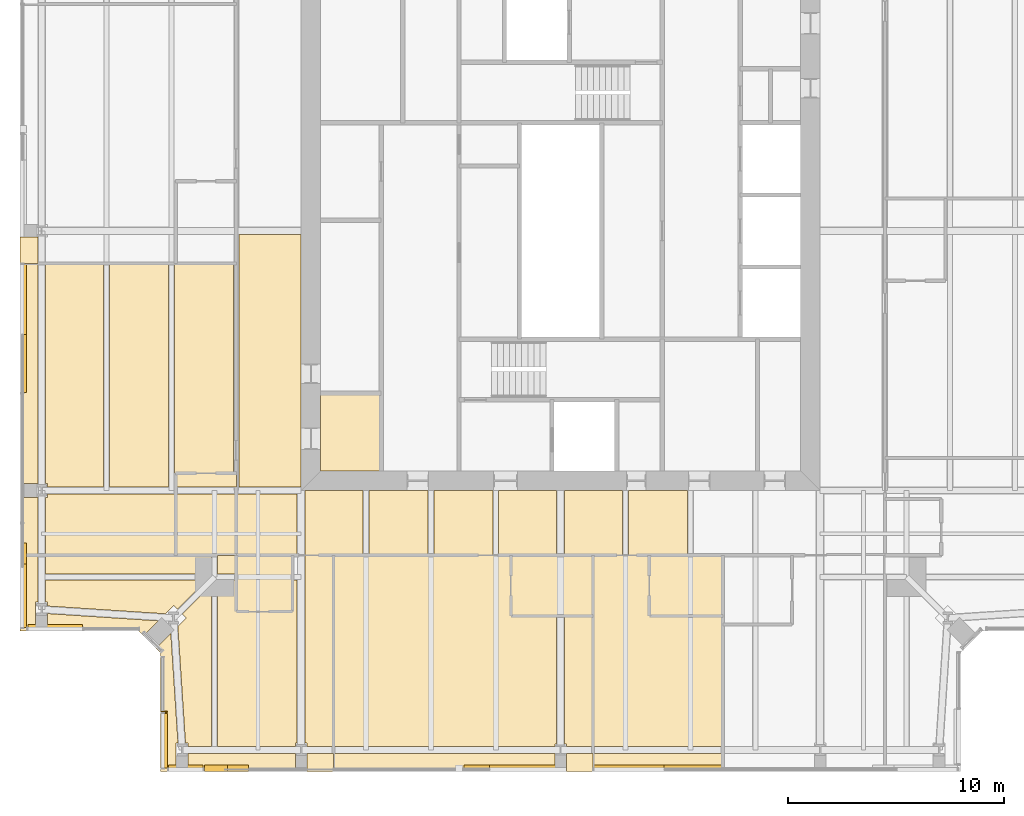
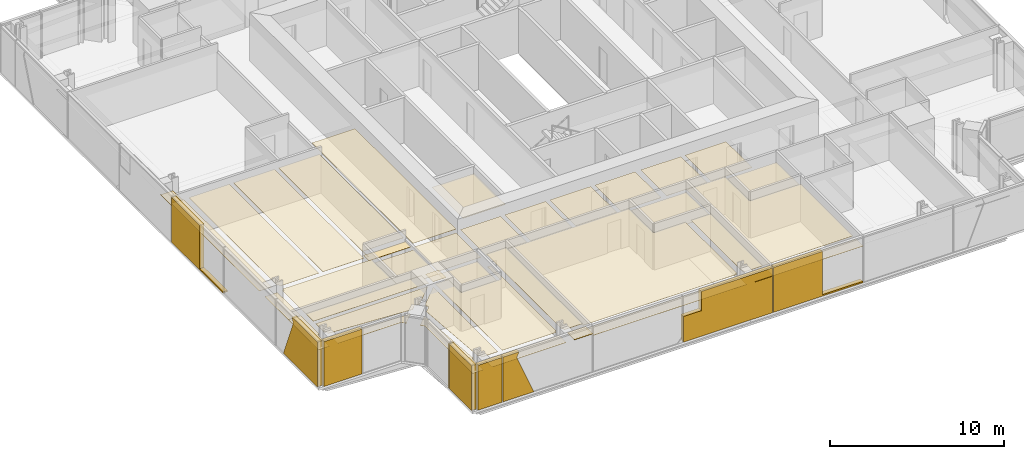
# One storey, part 15 of 20: 47 coverings.
"""IFC4 building model written with IfcOpenShell, lengths in metres."""

from ifc_helpers import new_model, si_unit, direction, frame, origin, place, context, subcontext, project, spatial, polyline, outline, extrude, material, layer, layer_set, type_object, element, save


model = new_model("IFC4")

# Units and contexts
model_context = context("Model", 3, precision=1e-05, world=origin(), true_north=direction((0.0, 1.0)))
body_context = subcontext(model_context, "Body", "Model", "MODEL_VIEW")
ifc_project = project(units=[si_unit("LENGTHUNIT", "METRE"), si_unit("AREAUNIT", "SQUARE_METRE"), si_unit("VOLUMEUNIT", "CUBIC_METRE"), si_unit("PLANEANGLEUNIT", "RADIAN"), si_unit("MASSUNIT", "GRAM", prefix="KILO")], contexts=[model_context])

# Site, building, storey
site_placement = place(None, origin())
site = spatial("IfcSite", under=ifc_project, at=site_placement, CompositionType="ELEMENT")
building_placement = place(site_placement, origin())
building = spatial("IfcBuilding", under=site, at=building_placement, Name="Fenwick Lantern Interchange", CompositionType="ELEMENT")
storey_placement = place(building_placement, frame((0.0, 0.0, 279.800048828125)))
storey = spatial("IfcBuildingStorey", under=building, at=storey_placement, Name="L67", CompositionType="ELEMENT", Elevation=279.800048828125)

# Coverings
ifc_material_1 = material(Name="Granite cladding, warm grey flamed finish, on aluminium carrier frame", Category="masonry")
ifc_layer_1 = layer(ifc_material_1, 0.300048828125)
ifc_layer_set_1 = layer_set([ifc_layer_1], Name="BRACE CASING PANEL 300")
covering_type_1 = type_object("IfcCoveringType", Name="BRACE CASING PANEL 300", PredefinedType="CLADDING", material=ifc_layer_set_1)
covering_1_placement = place(storey_placement, frame((6.60009765625, 0.10009765625, 0.0), z_axis=(0.0, 0.0, 1.0), x_axis=(1.0, 0.0, 0.0)))
element("IfcCovering", 1, at=covering_1_placement, inside=storey, type_object=covering_type_1, Name="Brace casing 01 bay 00a", PredefinedType="CLADDING", context=body_context, shape_type="SweptSolid", body=[
    extrude(outline(polyline([(0.260009765625, 0.0), (1.8701171875, 0.0), (1.8701171875, 3.14990234375), (0.260009765625, 3.14990234375), (0.260009765625, 0.0)])), frame((0.0, 0.2099609375, 0.0), z_axis=(0.0, -1.0, 0.0), x_axis=(1.0, 0.0, 0.0)), (0.0, 0.0, 1.0), 0.300048828125),
])
covering_2_placement = place(storey_placement, frame((6.60009765625, 0.10009765625, 0.0), z_axis=(0.0, 0.0, 1.0), x_axis=(1.0, 0.0, 0.0)))
element("IfcCovering", 2, at=covering_2_placement, inside=storey, type_object=covering_type_1, Name="Brace casing 01 bay 01a", PredefinedType="CLADDING", context=body_context, shape_type="SweptSolid", body=[
    extrude(outline(polyline([(1.929931640625, 0.0), (3.971435546875, 0.0), (2.8427734375, 2.791015625), (2.9892578125, 3.14990234375), (1.929931640625, 3.14990234375), (1.929931640625, 0.0)])), frame((0.0, 0.2099609375, 0.0), z_axis=(0.0, -1.0, 0.0), x_axis=(1.0, 0.0, 0.0)), (0.0, 0.0, 1.0), 0.300048828125),
])
covering_3_placement = place(storey_placement, frame((6.60009765625, 0.10009765625, 0.0), z_axis=(0.0, 0.0, 1.0), x_axis=(1.0, 0.0, 0.0)))
element("IfcCovering", 3, at=covering_3_placement, inside=storey, type_object=covering_type_1, Name="Brace casing 01 bay 03a", PredefinedType="CLADDING", context=body_context, shape_type="SweptSolid", body=[
    extrude(outline(polyline([(13.929931640625, 0.0), (19.8701171875, 0.0), (19.8701171875, 3.14990234375), (15.1201171875, 3.14990234375), (15.1201171875, 1.797119140625), (13.929931640625, 1.797119140625), (13.929931640625, 0.0)])), frame((0.0, 0.2099609375, 0.0), z_axis=(0.0, -1.0, 0.0), x_axis=(1.0, 0.0, 0.0)), (0.0, 0.0, 1.0), 0.300048828125),
])
for number, where, z_axis, x_axis, name in (
    (4, (6.60009765625, 0.10009765625, 0.0), (0.0, 0.0, 1.0), (1.0, 0.0, 0.0), "Brace casing 01 bay 04a"),
    (5, (0.10009765625, 43.39990234375, 0.0), (0.0, 0.0, 1.0), (0.0, -1.0, 0.0), "Brace casing 13 bay 04a"),
):
    element("IfcCovering", number, at=place(storey_placement, frame(where, z_axis=z_axis, x_axis=x_axis)), inside=storey, type_object=covering_type_1, Name=name, PredefinedType="CLADDING", context=body_context, shape_type="SweptSolid", body=[
        extrude(outline(polyline([(19.929931640625, 0.0), (25.8701171875, 0.0), (25.8701171875, 0.09765625), (23.179443359375, 0.09765625), (23.179443359375, 3.14990234375), (19.929931640625, 3.14990234375), (19.929931640625, 0.0)])), frame((0.0, 0.2099609375, 0.0), z_axis=(0.0, -1.0, 0.0), x_axis=(1.0, 0.0, 0.0)), (0.0, 0.0, 1.0), 0.300048828125),
    ])
covering_4_placement = place(storey_placement, frame((0.10009765625, 43.39990234375, 0.0), z_axis=(0.0, 0.0, 1.0), x_axis=(0.0, -1.0, 0.0)))
element("IfcCovering", 6, at=covering_4_placement, inside=storey, type_object=covering_type_1, Name="Brace casing 13 bay 06a", PredefinedType="CLADDING", context=body_context, shape_type="SweptSolid", body=[
    extrude(outline(polyline([(32.828369140625, 0.0), (36.739990234375, 0.0), (36.739990234375, 3.14990234375), (33.810791015625, 3.14990234375), (33.957275390625, 2.791015625), (32.828369140625, 0.0)])), frame((0.0, 0.2099609375, 0.0), z_axis=(0.0, -1.0, 0.0), x_axis=(1.0, 0.0, 0.0)), (0.0, 0.0, 1.0), 0.300048828125),
])
covering_5_placement = place(storey_placement, frame((0.10009765625, 6.60009765625, 0.0), z_axis=(0.0, 0.0, 1.0), x_axis=(1.0, 0.0, 0.0)))
element("IfcCovering", 7, at=covering_5_placement, inside=storey, type_object=covering_type_1, Name="Brace casing 14 bay 00a", PredefinedType="CLADDING", context=body_context, shape_type="SweptSolid", body=[
    extrude(outline(polyline([(0.260009765625, 0.0), (2.790771484375, 0.0), (2.790771484375, 3.14990234375), (0.260009765625, 3.14990234375), (0.260009765625, 0.0)])), frame((0.0, 0.2099609375, 0.0), z_axis=(0.0, -1.0, 0.0), x_axis=(1.0, 0.0, 0.0)), (0.0, 0.0, 1.0), 0.300048828125),
])
covering_6_placement = place(storey_placement, frame((6.60009765625, 5.54150390625, 0.0), z_axis=(0.0, 0.0, 1.0), x_axis=(0.0, -1.0, 0.0)))
element("IfcCovering", 8, at=covering_6_placement, inside=storey, type_object=covering_type_1, Name="Brace casing 16 bay 00a", PredefinedType="CLADDING", context=body_context, shape_type="SweptSolid", body=[
    extrude(outline(polyline([(2.741455078125, 0.0), (2.790771484375, 0.0), (2.790771484375, 3.14990234375), (2.741455078125, 3.14990234375), (2.741455078125, 0.0)])), frame((0.0, 0.2099609375, 0.0), z_axis=(0.0, -1.0, 0.0), x_axis=(1.0, 0.0, 0.0)), (0.0, 0.0, 1.0), 0.300048828125),
])
covering_7_placement = place(storey_placement, frame((6.60009765625, 5.54150390625, 0.0), z_axis=(0.0, 0.0, 1.0), x_axis=(0.0, -1.0, 0.0)))
element("IfcCovering", 9, at=covering_7_placement, inside=storey, type_object=covering_type_1, Name="Brace casing 16 bay 01a", PredefinedType="CLADDING", context=body_context, shape_type="SweptSolid", body=[
    extrude(outline(polyline([(2.850830078125, 0.0), (5.38134765625, 0.0), (5.38134765625, 3.14990234375), (2.850830078125, 3.14990234375), (2.850830078125, 0.0)])), frame((0.0, 0.2099609375, 0.0), z_axis=(0.0, -1.0, 0.0), x_axis=(1.0, 0.0, 0.0)), (0.0, 0.0, 1.0), 0.300048828125),
])
ifc_material_2 = material(Name="Moisture resistant gypsum board on suspended frame, painted")
ifc_layer_2 = layer(ifc_material_2, 0.014892578125)
ifc_layer_set_2 = layer_set([ifc_layer_2], Name="MOISTURE RESISTANT CEILING 15")
covering_type_2 = type_object("IfcCoveringType", Name="MOISTURE RESISTANT CEILING 15", PredefinedType="CEILING", material=ifc_layer_set_2)
covering_8_placement = place(storey_placement, frame((0.0, 0.0, 2.599853515625)))
element("IfcCovering", 10, at=covering_8_placement, inside=storey, type_object=covering_type_2, Name="Accessible WC and shower ceiling", PredefinedType="CEILING", context=body_context, shape_type="SweptSolid", body=[
    extrude(outline(polyline([(13.89990234375, 13.89990234375), (16.699951171875, 13.89990234375), (16.699951171875, 17.5), (13.89990234375, 17.5), (13.89990234375, 13.89990234375)])), origin(), (0.0, 0.0, 1.0), 0.01513671875),
])
covering_9_placement = place(storey_placement, frame((0.0, 0.0, 2.39990234375)))
element("IfcCovering", 11, at=covering_9_placement, inside=storey, type_object=covering_type_2, Name="En-suite 6701 ceiling", PredefinedType="CEILING", context=body_context, shape_type="SweptSolid", body=[
    extrude(outline(polyline([(10.0, 7.39990234375), (12.60009765625, 7.39990234375), (12.60009765625, 10.0), (10.0, 10.0), (10.0, 7.39990234375)])), origin(), (0.0, 0.0, 1.0), 0.01513671875),
])
covering_10_placement = place(storey_placement, frame((0.0, 0.0, 2.39990234375)))
element("IfcCovering", 12, at=covering_10_placement, inside=storey, type_object=covering_type_2, Name="En-suite 6702 ceiling", PredefinedType="CEILING", context=body_context, shape_type="SweptSolid", body=[
    extrude(outline(polyline([(22.699951171875, 7.199951171875), (26.5, 7.199951171875), (26.5, 10.0), (22.699951171875, 10.0), (22.699951171875, 7.199951171875)])), origin(), (0.0, 0.0, 1.0), 0.01513671875),
])
covering_11_placement = place(storey_placement, frame((0.0, 0.0, 2.39990234375)))
element("IfcCovering", 13, at=covering_11_placement, inside=storey, type_object=covering_type_2, Name="En-suite 6703 ceiling", PredefinedType="CEILING", context=body_context, shape_type="SweptSolid", body=[
    extrude(outline(polyline([(29.10009765625, 7.199951171875), (32.5, 7.199951171875), (32.5, 10.0), (29.10009765625, 10.0), (29.10009765625, 7.199951171875)])), origin(), (0.0, 0.0, 1.0), 0.01513671875),
])
covering_12_placement = place(storey_placement, frame((0.0, 0.0, 2.39990234375)))
element("IfcCovering", 14, at=covering_12_placement, inside=storey, type_object=covering_type_2, Name="En-suite 6713 ceiling", PredefinedType="CEILING", context=body_context, shape_type="SweptSolid", body=[
    extrude(outline(polyline([(10.0, 10.0), (10.0, 12.833984375), (7.199951171875, 12.833984375), (7.199951171875, 10.0), (10.0, 10.0)])), origin(), (0.0, 0.0, 1.0), 0.01513671875),
])
covering_13_placement = place(storey_placement, frame((0.0, 0.0, 2.39990234375)))
element("IfcCovering", 15, at=covering_13_placement, inside=storey, type_object=covering_type_2, Name="En-suite 6713 ceiling", PredefinedType="CEILING", context=body_context, shape_type="SweptSolid", body=[
    extrude(outline(polyline([(7.199951171875, 13.800048828125), (7.199951171875, 13.166015625), (10.0, 13.166015625), (10.0, 13.800048828125), (7.199951171875, 13.800048828125)])), origin(), (0.0, 0.0, 1.0), 0.01513671875),
])
ifc_material_3 = material(Name="Gypsum plasterboard on suspended frame, painted")
ifc_layer_3 = layer(ifc_material_3, 0.014892578125)
ifc_layer_set_3 = layer_set([ifc_layer_3], Name="PLASTERBOARD CEILING 15")
covering_type_3 = type_object("IfcCoveringType", Name="PLASTERBOARD CEILING 15", PredefinedType="CEILING", material=ifc_layer_set_3)
covering_14_placement = place(storey_placement, frame((0.0, 0.0, 2.599853515625)))
element("IfcCovering", 16, at=covering_14_placement, inside=storey, type_object=covering_type_3, Name="Corridor ceiling", PredefinedType="CEILING", context=body_context, shape_type="SweptSolid", body=[
    extrude(outline(polyline([(13.0, 13.166015625), (13.0, 24.824951171875), (10.134521484375, 24.824951171875), (10.134521484375, 13.166015625), (13.0, 13.166015625)])), origin(), (0.0, 0.0, 1.0), 0.01513671875),
])
covering_15_placement = place(storey_placement, frame((0.0, 0.0, 2.599853515625)))
element("IfcCovering", 17, at=covering_15_placement, inside=storey, type_object=covering_type_3, Name="Corridor ceiling", PredefinedType="CEILING", context=body_context, shape_type="SweptSolid", body=[
    extrude(outline(polyline([(16.134521484375, 10.0), (18.865478515625, 10.0), (18.865478515625, 13.0), (16.134521484375, 13.0), (16.134521484375, 10.0)])), origin(), (0.0, 0.0, 1.0), 0.01513671875),
])
covering_16_placement = place(storey_placement, frame((0.0, 0.0, 2.599853515625)))
element("IfcCovering", 18, at=covering_16_placement, inside=storey, type_object=covering_type_3, Name="Corridor ceiling", PredefinedType="CEILING", context=body_context, shape_type="SweptSolid", body=[
    extrude(outline(polyline([(19.134521484375, 10.0), (21.865478515625, 10.0), (21.865478515625, 13.0), (19.134521484375, 13.0), (19.134521484375, 10.0)])), origin(), (0.0, 0.0, 1.0), 0.01513671875),
])
covering_17_placement = place(storey_placement, frame((0.0, 0.0, 2.599853515625)))
element("IfcCovering", 19, at=covering_17_placement, inside=storey, type_object=covering_type_3, Name="Corridor ceiling", PredefinedType="CEILING", context=body_context, shape_type="SweptSolid", body=[
    extrude(outline(polyline([(28.134521484375, 10.0), (30.865478515625, 10.0), (30.865478515625, 13.0), (28.134521484375, 13.0), (28.134521484375, 10.0)])), origin(), (0.0, 0.0, 1.0), 0.01513671875),
])
covering_18_placement = place(storey_placement, frame((0.0, 0.0, 2.599853515625)))
element("IfcCovering", 20, at=covering_18_placement, inside=storey, type_object=covering_type_3, Name="Corridor ceiling", PredefinedType="CEILING", context=body_context, shape_type="SweptSolid", body=[
    extrude(outline(polyline([(13.183837890625, 10.0), (15.865478515625, 10.0), (15.865478515625, 13.0), (13.183837890625, 13.0), (13.183837890625, 10.0)])), origin(), (0.0, 0.0, 1.0), 0.01513671875),
])
covering_19_placement = place(storey_placement, frame((0.0, 0.0, 2.599853515625)))
element("IfcCovering", 21, at=covering_19_placement, inside=storey, type_object=covering_type_3, Name="Corridor ceiling", PredefinedType="CEILING", context=body_context, shape_type="SweptSolid", body=[
    extrude(outline(polyline([(22.134521484375, 10.0), (24.816162109375, 10.0), (24.816162109375, 13.0), (22.134521484375, 13.0), (22.134521484375, 10.0)])), origin(), (0.0, 0.0, 1.0), 0.01513671875),
])
covering_20_placement = place(storey_placement, frame((0.0, 0.0, 2.599853515625)))
element("IfcCovering", 22, at=covering_20_placement, inside=storey, type_object=covering_type_3, Name="Corridor ceiling", PredefinedType="CEILING", context=body_context, shape_type="SweptSolid", body=[
    extrude(outline(polyline([(25.183837890625, 10.0), (27.865478515625, 10.0), (27.865478515625, 13.0), (25.183837890625, 13.0), (25.183837890625, 10.0)])), origin(), (0.0, 0.0, 1.0), 0.01513671875),
])
covering_21_placement = place(storey_placement, frame((0.0, 0.0, 2.599853515625)))
element("IfcCovering", 23, at=covering_21_placement, inside=storey, type_object=covering_type_3, Name="Corridor ceiling", PredefinedType="CEILING", context=body_context, shape_type="SweptSolid", body=[
    extrude(outline(polyline([(10.0, 10.0), (12.816162109375, 10.0), (12.816162109375, 12.833984375), (10.0, 12.833984375), (10.0, 10.0)])), origin(), (0.0, 0.0, 1.0), 0.01513671875),
])
covering_22_placement = place(storey_placement, frame((0.0, 0.0, 2.699951171875)))
element("IfcCovering", 24, at=covering_22_placement, inside=storey, type_object=covering_type_3, Name="Guest suite 6701 ceiling", PredefinedType="CEILING", context=body_context, shape_type="SweptSolid", body=[
    extrude(outline(polyline([(10.0, 7.39990234375), (10.0, 8.865478515625), (9.134521484375, 8.865478515625), (9.134521484375, 1.17236328125), (12.72900390625, 1.17236328125), (12.72900390625, 1.3154296875), (12.816162109375, 1.3154296875), (12.816162109375, 8.865478515625), (12.60009765625, 8.865478515625), (12.60009765625, 7.39990234375), (10.0, 7.39990234375)])), origin(), (0.0, 0.0, 1.0), 0.014892578125),
])
covering_23_placement = place(storey_placement, frame((0.0, 0.0, 2.699951171875)))
element("IfcCovering", 25, at=covering_23_placement, inside=storey, type_object=covering_type_3, Name="Guest suite 6701 ceiling", PredefinedType="CEILING", context=body_context, shape_type="SweptSolid", body=[
    extrude(outline(polyline([(14.5, 10.0), (13.183837890625, 10.0), (13.183837890625, 1.3154296875), (13.27099609375, 1.3154296875), (13.27099609375, 1.17236328125), (14.5, 1.17236328125), (14.5, 10.0)])), origin(), (0.0, 0.0, 1.0), 0.014892578125),
])
covering_24_placement = place(storey_placement, frame((0.0, 0.0, 2.699951171875)))
element("IfcCovering", 26, at=covering_24_placement, inside=storey, type_object=covering_type_3, Name="Guest suite 6701 ceiling", PredefinedType="CEILING", context=body_context, shape_type="SweptSolid", body=[
    extrude(outline(polyline([(7.10009765625, 7.6826171875), (7.28271484375, 7.499755859375), (8.648681640625, 8.865478515625), (1.17236328125, 8.865478515625), (1.17236328125, 7.83447265625), (1.27734375, 7.83447265625), (1.27734375, 7.654541015625), (6.715576171875, 7.298095703125), (7.10009765625, 7.6826171875)])), origin(), (0.0, 0.0, 1.0), 0.014892578125),
])
covering_25_placement = place(storey_placement, frame((0.0, 0.0, 2.699951171875)))
element("IfcCovering", 27, at=covering_25_placement, inside=storey, type_object=covering_type_3, Name="Guest suite 6701 ceiling", PredefinedType="CEILING", context=body_context, shape_type="SweptSolid", body=[
    extrude(outline(polyline([(7.77734375, 1.33447265625), (7.77734375, 1.17236328125), (8.865478515625, 1.17236328125), (8.865478515625, 8.648681640625), (7.499755859375, 7.28271484375), (7.6826171875, 7.10009765625), (7.298095703125, 6.715576171875), (7.65087890625, 1.33447265625), (7.77734375, 1.33447265625)])), origin(), (0.0, 0.0, 1.0), 0.014892578125),
])
covering_26_placement = place(storey_placement, frame((0.0, 0.0, 2.699951171875)))
element("IfcCovering", 28, at=covering_26_placement, inside=storey, type_object=covering_type_3, Name="Guest suite 6701 ceiling", PredefinedType="CEILING", context=body_context, shape_type="SweptSolid", body=[
    extrude(outline(polyline([(8.865478515625, 10.0), (1.17236328125, 10.0), (1.17236328125, 9.134521484375), (8.865478515625, 9.134521484375), (8.865478515625, 10.0)])), origin(), (0.0, 0.0, 1.0), 0.014892578125),
])
covering_27_placement = place(storey_placement, frame((0.0, 0.0, 2.699951171875)))
element("IfcCovering", 29, at=covering_27_placement, inside=storey, type_object=covering_type_3, Name="Guest suite 6701 ceiling", PredefinedType="CEILING", context=body_context, shape_type="SweptSolid", body=[
    extrude(outline(polyline([(7.22265625, 1.33447265625), (7.30517578125, 1.33447265625), (6.9736328125, 6.39111328125), (6.291259765625, 5.708740234375), (6.5, 5.5), (6.5, 0.0), (7.22265625, 0.0), (7.22265625, 1.33447265625)])), origin(), (0.0, 0.0, 1.0), 0.014892578125),
])
covering_28_placement = place(storey_placement, frame((0.0, 0.0, 2.699951171875)))
element("IfcCovering", 30, at=covering_28_placement, inside=storey, type_object=covering_type_3, Name="Guest suite 6701 ceiling", PredefinedType="CEILING", context=body_context, shape_type="SweptSolid", body=[
    extrude(outline(polyline([(12.72900390625, 0.0), (12.72900390625, 0.82763671875), (7.77734375, 0.82763671875), (7.77734375, 0.0), (12.72900390625, 0.0)])), origin(), (0.0, 0.0, 1.0), 0.014892578125),
])
covering_29_placement = place(storey_placement, frame((0.0, 0.0, 2.699951171875)))
element("IfcCovering", 31, at=covering_29_placement, inside=storey, type_object=covering_type_3, Name="Guest suite 6701 ceiling", PredefinedType="CEILING", context=body_context, shape_type="SweptSolid", body=[
    extrude(outline(polyline([(5.708740234375, 6.291259765625), (6.39111328125, 6.9736328125), (1.27734375, 7.30908203125), (1.27734375, 6.5), (5.5, 6.5), (5.708740234375, 6.291259765625)])), origin(), (0.0, 0.0, 1.0), 0.014892578125),
])
covering_30_placement = place(storey_placement, frame((0.0, 0.0, 2.699951171875)))
element("IfcCovering", 32, at=covering_30_placement, inside=storey, type_object=covering_type_3, Name="Guest suite 6701 ceiling", PredefinedType="CEILING", context=body_context, shape_type="SweptSolid", body=[
    extrude(outline(polyline([(0.72265625, 7.83447265625), (0.82763671875, 7.83447265625), (0.82763671875, 10.0), (0.0, 10.0), (0.0, 6.5), (0.72265625, 6.5), (0.72265625, 7.83447265625)])), origin(), (0.0, 0.0, 1.0), 0.014892578125),
])
covering_31_placement = place(storey_placement, frame((0.0, 0.0, 2.699951171875)))
element("IfcCovering", 33, at=covering_31_placement, inside=storey, type_object=covering_type_3, Name="Guest suite 6701 ceiling", PredefinedType="CEILING", context=body_context, shape_type="SweptSolid", body=[
    extrude(outline(polyline([(14.5, 0.0), (14.5, 0.82763671875), (13.27099609375, 0.82763671875), (13.27099609375, 0.0), (14.5, 0.0)])), origin(), (0.0, 0.0, 1.0), 0.014892578125),
])
covering_32_placement = place(storey_placement, frame((0.0, 0.0, 2.699951171875)))
element("IfcCovering", 34, at=covering_32_placement, inside=storey, type_object=covering_type_3, Name="Guest suite 6701 ceiling", PredefinedType="CEILING", context=body_context, shape_type="SweptSolid", body=[
    extrude(outline(polyline([(10.0, 9.134521484375), (10.0, 10.0), (9.134521484375, 10.0), (9.134521484375, 9.134521484375), (10.0, 9.134521484375)])), origin(), (0.0, 0.0, 1.0), 0.014892578125),
])
covering_33_placement = place(storey_placement, frame((0.0, 0.0, 2.57275390625)))
element("IfcCovering", 35, at=covering_33_placement, inside=storey, type_object=covering_type_3, Name="Guest suite 6702 ceiling", PredefinedType="CEILING", context=body_context, shape_type="SweptSolid", body=[
    extrude(outline(polyline([(24.73779296875, 1.28759765625), (24.816162109375, 1.28759765625), (24.816162109375, 7.199951171875), (22.699951171875, 7.199951171875), (22.699951171875, 10.0), (14.5, 10.0), (14.5, 1.17236328125), (24.73779296875, 1.17236328125), (24.73779296875, 1.28759765625)])), origin(), (0.0, 0.0, 1.0), 0.01513671875),
])
covering_34_placement = place(storey_placement, frame((0.0, 0.0, 2.57275390625)))
element("IfcCovering", 36, at=covering_34_placement, inside=storey, type_object=covering_type_3, Name="Guest suite 6702 ceiling", PredefinedType="CEILING", context=body_context, shape_type="SweptSolid", body=[
    extrude(outline(polyline([(24.73779296875, 0.0), (24.73779296875, 0.82763671875), (14.5, 0.82763671875), (14.5, 0.0), (24.73779296875, 0.0)])), origin(), (0.0, 0.0, 1.0), 0.01513671875),
])
covering_35_placement = place(storey_placement, frame((0.0, 0.0, 2.57275390625)))
element("IfcCovering", 37, at=covering_35_placement, inside=storey, type_object=covering_type_3, Name="Guest suite 6702 ceiling", PredefinedType="CEILING", context=body_context, shape_type="SweptSolid", body=[
    extrude(outline(polyline([(25.26220703125, 1.28759765625), (25.26220703125, 1.17236328125), (26.5, 1.17236328125), (26.5, 7.199951171875), (25.183837890625, 7.199951171875), (25.183837890625, 1.28759765625), (25.26220703125, 1.28759765625)])), origin(), (0.0, 0.0, 1.0), 0.01513671875),
])
covering_36_placement = place(storey_placement, frame((0.0, 0.0, 2.57275390625)))
element("IfcCovering", 38, at=covering_36_placement, inside=storey, type_object=covering_type_3, Name="Guest suite 6702 ceiling", PredefinedType="CEILING", context=body_context, shape_type="SweptSolid", body=[
    extrude(outline(polyline([(25.26220703125, 0.82763671875), (25.26220703125, 0.0), (26.5, 0.0), (26.5, 0.82763671875), (25.26220703125, 0.82763671875)])), origin(), (0.0, 0.0, 1.0), 0.01513671875),
])
covering_37_placement = place(storey_placement, frame((0.0, 0.0, 2.57275390625)))
element("IfcCovering", 39, at=covering_37_placement, inside=storey, type_object=covering_type_3, Name="Guest room 6703 ceiling", PredefinedType="CEILING", context=body_context, shape_type="SweptSolid", body=[
    extrude(outline(polyline([(26.5, 10.0), (26.5, 1.17236328125), (32.5, 1.17236328125), (32.5, 7.199951171875), (29.10009765625, 7.199951171875), (29.10009765625, 10.0), (26.5, 10.0)])), origin(), (0.0, 0.0, 1.0), 0.01513671875),
])
covering_38_placement = place(storey_placement, frame((0.0, 0.0, 2.57275390625)))
element("IfcCovering", 40, at=covering_38_placement, inside=storey, type_object=covering_type_3, Name="Guest room 6703 ceiling", PredefinedType="CEILING", context=body_context, shape_type="SweptSolid", body=[
    extrude(outline(polyline([(26.5, 0.0), (32.5, 0.0), (32.5, 0.82763671875), (26.5, 0.82763671875), (26.5, 0.0)])), origin(), (0.0, 0.0, 1.0), 0.01513671875),
])
covering_39_placement = place(storey_placement, frame((0.0, 0.0, 2.57275390625)))
element("IfcCovering", 41, at=covering_39_placement, inside=storey, type_object=covering_type_3, Name="Guest suite 6712 ceiling", PredefinedType="CEILING", context=body_context, shape_type="SweptSolid", body=[
    extrude(outline(polyline([(0.82763671875, 24.71240234375), (0.0, 24.71240234375), (0.0, 23.5), (0.82763671875, 23.5), (0.82763671875, 24.71240234375)])), origin(), (0.0, 0.0, 1.0), 0.01513671875),
])
covering_40_placement = place(storey_placement, frame((0.0, 0.0, 2.699951171875)))
element("IfcCovering", 42, at=covering_40_placement, inside=storey, type_object=covering_type_3, Name="Guest suite 6713 ceiling", PredefinedType="CEILING", context=body_context, shape_type="SweptSolid", body=[
    extrude(outline(polyline([(6.865478515625, 23.5), (4.134521484375, 23.5), (4.134521484375, 13.166015625), (6.865478515625, 13.166015625), (6.865478515625, 23.5)])), origin(), (0.0, 0.0, 1.0), 0.014892578125),
])
covering_41_placement = place(storey_placement, frame((0.0, 0.0, 2.699951171875)))
element("IfcCovering", 43, at=covering_41_placement, inside=storey, type_object=covering_type_3, Name="Guest suite 6713 ceiling", PredefinedType="CEILING", context=body_context, shape_type="SweptSolid", body=[
    extrude(outline(polyline([(1.27099609375, 13.3154296875), (1.27099609375, 13.166015625), (3.865478515625, 13.166015625), (3.865478515625, 23.5), (1.17236328125, 23.5), (1.17236328125, 13.3154296875), (1.27099609375, 13.3154296875)])), origin(), (0.0, 0.0, 1.0), 0.014892578125),
])
covering_42_placement = place(storey_placement, frame((0.0, 0.0, 2.699951171875)))
element("IfcCovering", 44, at=covering_42_placement, inside=storey, type_object=covering_type_3, Name="Guest suite 6713 ceiling", PredefinedType="CEILING", context=body_context, shape_type="SweptSolid", body=[
    extrude(outline(polyline([(9.865478515625, 23.5), (7.134521484375, 23.5), (7.134521484375, 13.166015625), (7.199951171875, 13.166015625), (7.199951171875, 13.800048828125), (9.865478515625, 13.800048828125), (9.865478515625, 23.5)])), origin(), (0.0, 0.0, 1.0), 0.014892578125),
])
covering_43_placement = place(storey_placement, frame((0.0, 0.0, 2.699951171875)))
element("IfcCovering", 45, at=covering_43_placement, inside=storey, type_object=covering_type_3, Name="Guest suite 6713 ceiling", PredefinedType="CEILING", context=body_context, shape_type="SweptSolid", body=[
    extrude(outline(polyline([(1.27099609375, 12.6845703125), (1.17236328125, 12.6845703125), (1.17236328125, 10.0), (7.199951171875, 10.0), (7.199951171875, 12.833984375), (1.27099609375, 12.833984375), (1.27099609375, 12.6845703125)])), origin(), (0.0, 0.0, 1.0), 0.014892578125),
])
covering_44_placement = place(storey_placement, frame((0.0, 0.0, 2.699951171875)))
element("IfcCovering", 46, at=covering_44_placement, inside=storey, type_object=covering_type_3, Name="Guest suite 6713 ceiling", PredefinedType="CEILING", context=body_context, shape_type="SweptSolid", body=[
    extrude(outline(polyline([(0.0, 13.3154296875), (0.82763671875, 13.3154296875), (0.82763671875, 23.5), (0.0, 23.5), (0.0, 13.3154296875)])), origin(), (0.0, 0.0, 1.0), 0.014892578125),
])
covering_45_placement = place(storey_placement, frame((0.0, 0.0, 2.699951171875)))
element("IfcCovering", 47, at=covering_45_placement, inside=storey, type_object=covering_type_3, Name="Guest suite 6713 ceiling", PredefinedType="CEILING", context=body_context, shape_type="SweptSolid", body=[
    extrude(outline(polyline([(0.82763671875, 12.6845703125), (0.0, 12.6845703125), (0.0, 10.0), (0.82763671875, 10.0), (0.82763671875, 12.6845703125)])), origin(), (0.0, 0.0, 1.0), 0.014892578125),
])

save(model, "model.ifc")
